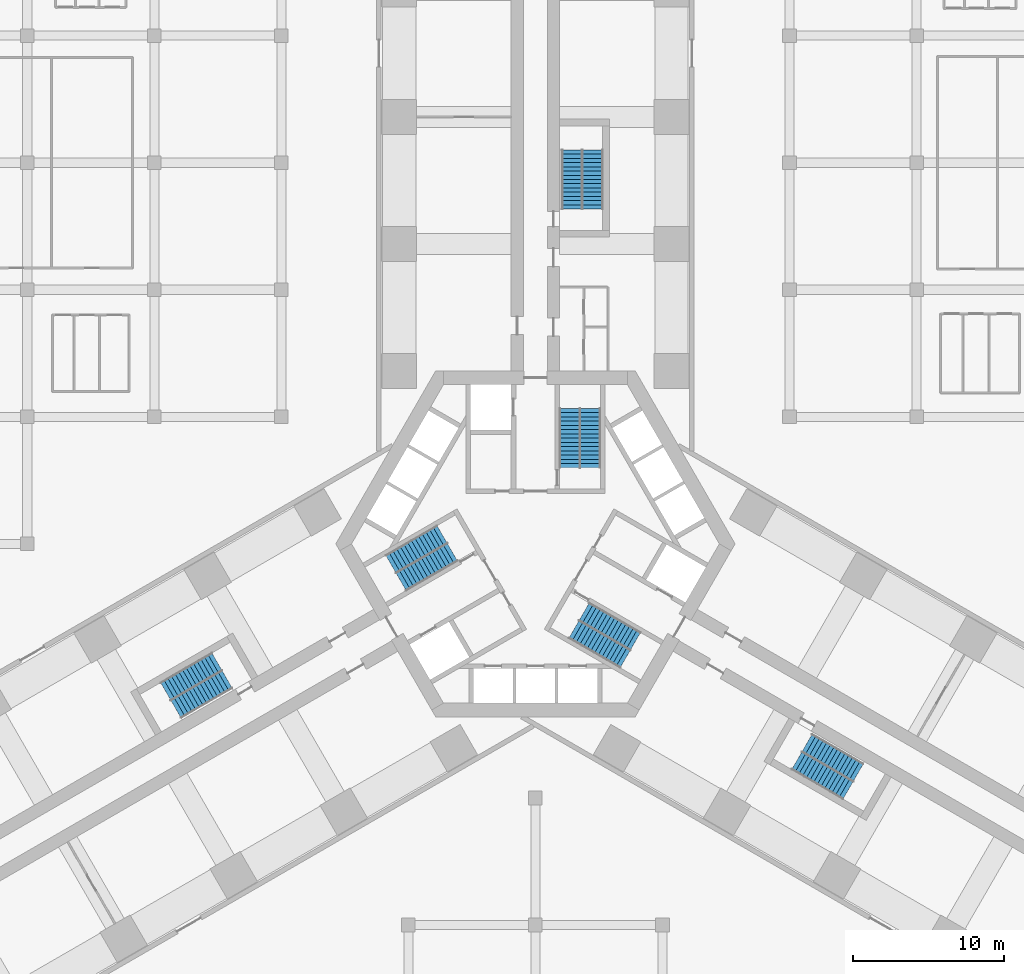
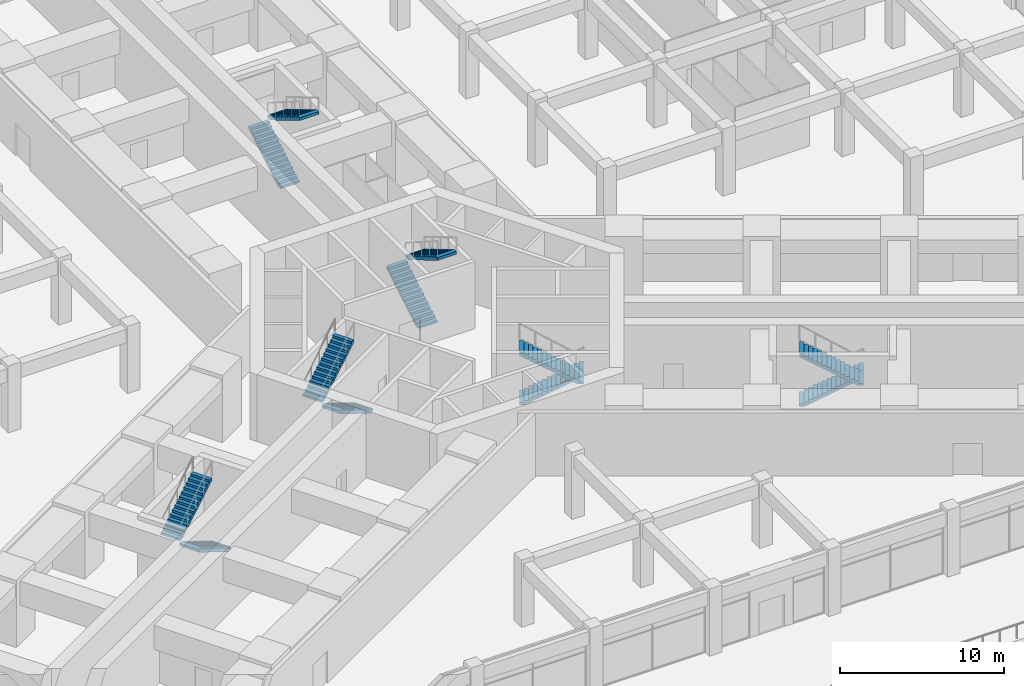
# One storey, part 34 of 36: 12 stair flights, 6 elements without a shape of their own.
"""IFC4 building model written with IfcOpenShell, lengths in metres."""

import ifcopenshell
import ifcopenshell.guid

model = None  # the IFC model being written
_history = None  # IfcOwnerHistory: only IFC2X3 demands one
_inside = {}  # id of a spatial element -> (the spatial element, [elements in it])
_under = {}  # id of a project, library or spatial element -> (it, [spatial elements below it])
_declared = {}  # id of a project -> (the project, [libraries it declares])
_typed = {}  # id of a type object -> (the type object, [elements of that type])
_made_of = {}  # id of a material, layer set ... -> (it, [elements and type objects made of it])


def new_model(schema):
    """Start an empty IFC model of exactly this schema.

    Asked for "IFC4X3", IfcOpenShell would pick the latest addendum, in which some entities
    have other attributes; the version numbers below select the first issue.
    IFC2X3 requires an IfcOwnerHistory on every rooted entity: one is made here for all.
    """
    global model, _history
    if schema == "IFC4X3":
        model = ifcopenshell.file(schema_version=(4, 3, 0, 0))
    else:
        model = ifcopenshell.file(schema=schema)
    _inside.clear()
    _under.clear()
    _declared.clear()
    _typed.clear()
    _made_of.clear()
    _history = None
    if model.schema == "IFC2X3":
        org = make("IfcOrganization", Name="unknown")
        user = make(
            "IfcPersonAndOrganization",
            ThePerson=make("IfcPerson", FamilyName="unknown"),
            TheOrganization=org,
        )
        app = make(
            "IfcApplication",
            ApplicationDeveloper=org,
            Version="unknown",
            ApplicationFullName="unknown",
            ApplicationIdentifier="unknown",
        )
        _history = make(
            "IfcOwnerHistory",
            OwningUser=user,
            OwningApplication=app,
            ChangeAction="ADDED",
            CreationDate=0,
        )
    return model


def make(cls, **values):
    """One entity of the class cls with the attributes given. An attribute that is None is left unset."""
    return model.create_entity(
        cls, **{name: value for name, value in values.items() if value is not None}
    )


def rooted(cls, **values):
    """An entity with a GlobalId (a new one), such as an element, a storey or a relation."""
    return make(cls, GlobalId=ifcopenshell.guid.new(), OwnerHistory=_history, **values)


def si_unit(unit_type, name, prefix=None):
    """IfcSIUnit, for example si_unit("LENGTHUNIT", "METRE", prefix="MILLI")."""
    return make("IfcSIUnit", UnitType=unit_type, Prefix=prefix, Name=name)


def assignment(units):
    """IfcUnitAssignment: the units of a project."""
    return None if units is None else make("IfcUnitAssignment", Units=units)


def point(xyz):
    """IfcCartesianPoint."""
    return None if xyz is None else make("IfcCartesianPoint", Coordinates=xyz)


def direction(xyz):
    """IfcDirection."""
    return None if xyz is None else make("IfcDirection", DirectionRatios=xyz)


def frame(location, z_axis=None, x_axis=None):
    """IfcAxis2Placement3D, a coordinate frame: its origin and axes. An axis left out is left unset."""
    return make(
        "IfcAxis2Placement3D",
        Location=point(location),
        Axis=direction(z_axis),
        RefDirection=direction(x_axis),
    )


def origin():
    """The frame at (0, 0, 0) with its axes left unset."""
    return frame((0.0, 0.0, 0.0))


def place(relative_to, where):
    """IfcLocalPlacement: puts the frame where relative to a parent placement (None: the world)."""
    return make(
        "IfcLocalPlacement", PlacementRelTo=relative_to, RelativePlacement=where
    )


def context(
    kind, dimensions, precision=None, world=None, true_north=None, identifier=None
):
    """IfcGeometricRepresentationContext, for example the 3D "Model" context."""
    return make(
        "IfcGeometricRepresentationContext",
        ContextIdentifier=identifier,
        ContextType=kind,
        CoordinateSpaceDimension=dimensions,
        Precision=precision,
        WorldCoordinateSystem=world,
        TrueNorth=true_north,
    )


def subcontext(parent, identifier, kind, view, scale=None):
    """IfcGeometricRepresentationSubContext, for example "Body" below "Model"."""
    return make(
        "IfcGeometricRepresentationSubContext",
        ContextIdentifier=identifier,
        ContextType=kind,
        ParentContext=parent,
        TargetScale=scale,
        TargetView=view,
    )


def project(units=None, contexts=None):
    """IfcProject with its units and contexts."""
    return rooted(
        "IfcProject",
        Name="project",
        RepresentationContexts=contexts,
        UnitsInContext=assignment(units),
    )


def spatial(cls, under=None, at=None, **own):
    """A site, building, storey or space (cls), placed at a placement, below another one or the project."""
    s = rooted(cls, ObjectPlacement=at, **own)
    if under is not None:
        _under.setdefault(under.id(), (under, []))[1].append(s)
    return s


def polyline(points):
    """IfcPolyline through the points."""
    return make("IfcPolyline", Points=[point(p) for p in points])


def outline(outer, holes=None, kind="AREA"):
    """IfcArbitraryClosedProfileDef: a profile drawn as a closed curve; with holes, ...WithVoids."""
    if holes is None:
        return make("IfcArbitraryClosedProfileDef", ProfileType=kind, OuterCurve=outer)
    return make(
        "IfcArbitraryProfileDefWithVoids",
        ProfileType=kind,
        OuterCurve=outer,
        InnerCurves=holes,
    )


def extrude(swept, where, along, depth):
    """IfcExtrudedAreaSolid: the profile swept, set in the frame where, extruded along a direction by depth."""
    return make(
        "IfcExtrudedAreaSolid",
        SweptArea=swept,
        Position=where,
        ExtrudedDirection=direction(along),
        Depth=depth,
    )


def shape(context_of_items, identifier, shape_type, items):
    """IfcShapeRepresentation: the items that make up one representation, for example the "Body"."""
    return make(
        "IfcShapeRepresentation",
        ContextOfItems=context_of_items,
        RepresentationIdentifier=identifier,
        RepresentationType=shape_type,
        Items=items,
    )


def material(Name=None, Category=None):
    """IfcMaterial."""
    return make("IfcMaterial", Name=Name, Category=Category)


def made_of(thing, what):
    """Note that an element or type object is made of a material, layer set ...; save() writes the relation."""
    if what is not None:
        _made_of.setdefault(what.id(), (what, []))[1].append(thing)
    return thing


def type_object(cls, material=None, **own):
    """A type object (cls), such as IfcWallType, which elements share."""
    return made_of(rooted(cls, **own), material)


def element(
    cls,
    number,
    at=None,
    inside=None,
    cuts=None,
    type_object=None,
    material=None,
    context=None,
    identifier="Body",
    shape_type=None,
    held_by="IfcProductDefinitionShape",
    body=None,
    shapes=None,
    **own,
):
    """One element of the class cls, such as IfcWall. Its Tag is "e" and its number.

    at: its placement. inside: the storey or other place that contains it. cuts: it is an
    opening in that element (IfcRelVoidsElement). A single representation is given by context,
    identifier, shape_type and body (its items); several are given by shapes. held_by: the class
    of the entity that holds the representations. save() writes the other relations.
    """
    e = rooted(cls, Tag="e%d" % number, ObjectPlacement=at, **own)
    if body is not None:
        shapes = [shape(context, identifier, shape_type, body)]
    if shapes is not None:
        e.Representation = make(held_by, Representations=shapes)
    if inside is not None:
        _inside.setdefault(inside.id(), (inside, []))[1].append(e)
    if cuts is not None:
        rooted(
            "IfcRelVoidsElement", RelatingBuildingElement=cuts, RelatedOpeningElement=e
        )
    if type_object is not None:
        _typed.setdefault(type_object.id(), (type_object, []))[1].append(e)
    return made_of(e, material)


def aggregate(whole, parts):
    """IfcRelAggregates: a whole, such as a stair, and the parts it consists of."""
    return rooted("IfcRelAggregates", RelatingObject=whole, RelatedObjects=parts)


def save(model, path):
    """Write the relations noted so far, then the file.

    IfcRelAggregates (storeys below a building ...), IfcRelContainedInSpatialStructure (elements
    in a storey), IfcRelDefinesByType, IfcRelAssociatesMaterial and IfcRelDeclares: one each for
    every whole, place, type object, material and project.
    """
    for whole, parts in _under.values():
        aggregate(whole, parts)
    for where, things in _inside.values():
        rooted(
            "IfcRelContainedInSpatialStructure",
            RelatedElements=things,
            RelatingStructure=where,
        )
    for kind, things in _typed.values():
        rooted("IfcRelDefinesByType", RelatedObjects=things, RelatingType=kind)
    for what, things in _made_of.values():
        rooted("IfcRelAssociatesMaterial", RelatedObjects=things, RelatingMaterial=what)
    for by, libraries in _declared.values():
        rooted("IfcRelDeclares", RelatingContext=by, RelatedDefinitions=libraries)
    model.write(path)


model = new_model("IFC4")

# Units and contexts
model_context = context("Model", 3, precision=1e-05, world=origin(), true_north=direction((0.0, 1.0)))
body_context = subcontext(model_context, "Body", "Model", "MODEL_VIEW")
ifc_project = project(units=[si_unit("LENGTHUNIT", "METRE"), si_unit("AREAUNIT", "SQUARE_METRE"), si_unit("VOLUMEUNIT", "CUBIC_METRE"), si_unit("PLANEANGLEUNIT", "RADIAN"), si_unit("MASSUNIT", "GRAM", prefix="KILO")], contexts=[model_context])

# Site, building, storey
site_placement = place(None, origin())
site = spatial("IfcSite", under=ifc_project, at=site_placement, CompositionType="ELEMENT")
building_placement = place(site_placement, origin())
building = spatial("IfcBuilding", under=site, at=building_placement, Name="Impinga Residences", CompositionType="ELEMENT")
storey_placement = place(building_placement, frame((0.0, 0.0, 6.0)))
storey = spatial("IfcBuildingStorey", under=building, at=storey_placement, Name="L01", CompositionType="ELEMENT", Elevation=6.0)

# Stair, stair flights
ifc_material = material(Name="Concrete C40/50", Category="concrete")
stair_type_1 = type_object("IfcStairType", Name="STR core stair 5000 storey, 30 risers", PredefinedType="HALF_TURN_STAIR", material=ifc_material)
stair_1_placement = place(storey_placement, origin())
stair_1 = element("IfcStair", 1, at=stair_1_placement, inside=storey, type_object=stair_type_1, Name="Stair ST1 L01", PredefinedType="HALF_TURN_STAIR")
stair_flight_type = type_object("IfcStairFlightType", Name="SF 15 risers of 167", PredefinedType="STRAIGHT", material=ifc_material)
stair_flight_1_placement = place(storey_placement, frame((2.27490234375, 5.030029296875, 0.0), z_axis=(0.0, 0.0, 1.0), x_axis=(0.0, 1.0, 0.0)))
stair_flight_1 = element("IfcStairFlight", 2, at=stair_flight_1_placement, type_object=stair_flight_type, Name="ST1 flight 1", NumberOfRisers=15, NumberOfTreads=14, PredefinedType="STRAIGHT", RiserHeight=0.166666667, TreadLength=0.28, context=body_context, shape_type="SweptSolid", body=[
    extrude(outline(polyline([(0.0, 0.0), (0.0, 0.166748046875), (0.280029296875, 0.166748046875), (0.280029296875, 0.333251953125), (0.56005859375, 0.333251953125), (0.56005859375, 0.5), (0.840087890625, 0.5), (0.840087890625, 0.666748046875), (1.1201171875, 0.666748046875), (1.1201171875, 0.833251953125), (1.39990234375, 0.833251953125), (1.39990234375, 1.0), (1.679931640625, 1.0), (1.679931640625, 1.166748046875), (1.9599609375, 1.166748046875), (1.9599609375, 1.333251953125), (2.239990234375, 1.333251953125), (2.239990234375, 1.5), (2.52001953125, 1.5), (2.52001953125, 1.666748046875), (2.800048828125, 1.666748046875), (2.800048828125, 1.833251953125), (3.080078125, 1.833251953125), (3.080078125, 2.0), (3.360107421875, 2.0), (3.360107421875, 2.166748046875), (3.639892578125, 2.166748046875), (3.639892578125, 2.333251953125), (3.919921875, 2.333251953125), (3.919921875, 2.5), (3.919921875, 2.1240234375), (0.351806640625, 0.0), (0.0, 0.0)])), frame((0.0, 0.675048828125, 0.0), z_axis=(0.0, -1.0, 0.0), x_axis=(1.0, 0.0, 0.0)), (0.0, 0.0, 1.0), 1.35009765625),
])
stair_flight_2_placement = place(storey_placement, frame((3.625, 8.949951171875, 2.5), z_axis=(0.0, 0.0, 1.0), x_axis=(0.0, -1.0, 0.0)))
stair_flight_2 = element("IfcStairFlight", 3, at=stair_flight_2_placement, type_object=stair_flight_type, Name="ST1 flight 2", NumberOfRisers=15, NumberOfTreads=14, PredefinedType="STRAIGHT", RiserHeight=0.166666667, TreadLength=0.28, context=body_context, shape_type="SweptSolid", body=[
    extrude(outline(polyline([(0.0, 0.0), (0.0, 0.166748046875), (0.280029296875, 0.166748046875), (0.280029296875, 0.333251953125), (0.56005859375, 0.333251953125), (0.56005859375, 0.5), (0.840087890625, 0.5), (0.840087890625, 0.666748046875), (1.1201171875, 0.666748046875), (1.1201171875, 0.833251953125), (1.39990234375, 0.833251953125), (1.39990234375, 1.0), (1.679931640625, 1.0), (1.679931640625, 1.166748046875), (1.9599609375, 1.166748046875), (1.9599609375, 1.333251953125), (2.239990234375, 1.333251953125), (2.239990234375, 1.5), (2.52001953125, 1.5), (2.52001953125, 1.666748046875), (2.800048828125, 1.666748046875), (2.800048828125, 1.833251953125), (3.080078125, 1.833251953125), (3.080078125, 2.0), (3.360107421875, 2.0), (3.360107421875, 2.166748046875), (3.639892578125, 2.166748046875), (3.639892578125, 2.333251953125), (3.919921875, 2.333251953125), (3.919921875, 2.5), (3.919921875, 2.1240234375), (0.351806640625, 0.0), (0.0, 0.0)])), frame((0.0, 0.675048828125, 0.0), z_axis=(0.0, -1.0, 0.0), x_axis=(1.0, 0.0, 0.0)), (0.0, 0.0, 1.0), 1.35009765625),
])
aggregate(stair_1, [stair_flight_1, stair_flight_2])

stair_2_placement = place(storey_placement, origin())
stair_2 = element("IfcStair", 4, at=stair_2_placement, inside=storey, type_object=stair_type_1, Name="Stair ST2 L01", PredefinedType="HALF_TURN_STAIR")
stair_flight_3_placement = place(storey_placement, frame((-5.49365234375, -0.544677734375, 0.0), z_axis=(0.0, 0.0, 1.0), x_axis=(-0.866025403784, -0.5, 0.0)))
stair_flight_3 = element("IfcStairFlight", 5, at=stair_flight_3_placement, type_object=stair_flight_type, Name="ST2 flight 1", NumberOfRisers=15, NumberOfTreads=14, PredefinedType="STRAIGHT", RiserHeight=0.166666667, TreadLength=0.28, context=body_context, shape_type="SweptSolid", body=[
    extrude(outline(polyline([(0.0, 0.0), (0.0, 0.166748046875), (0.280029296875, 0.166748046875), (0.280029296875, 0.333251953125), (0.56005859375, 0.333251953125), (0.56005859375, 0.5), (0.840087890625, 0.5), (0.840087890625, 0.666748046875), (1.1201171875, 0.666748046875), (1.1201171875, 0.833251953125), (1.39990234375, 0.833251953125), (1.39990234375, 1.0), (1.679931640625, 1.0), (1.679931640625, 1.166748046875), (1.9599609375, 1.166748046875), (1.9599609375, 1.333251953125), (2.239990234375, 1.333251953125), (2.239990234375, 1.5), (2.52001953125, 1.5), (2.52001953125, 1.666748046875), (2.800048828125, 1.666748046875), (2.800048828125, 1.833251953125), (3.080078125, 1.833251953125), (3.080078125, 2.0), (3.360107421875, 2.0), (3.360107421875, 2.166748046875), (3.639892578125, 2.166748046875), (3.639892578125, 2.333251953125), (3.919921875, 2.333251953125), (3.919921875, 2.5), (3.919921875, 2.1240234375), (0.351806640625, 0.0), (0.0, 0.0)])), frame((0.0, 0.675048828125, 0.0), z_axis=(0.0, -1.0, 0.0), x_axis=(1.0, 0.0, 0.0)), (0.0, 0.0, 1.0), 1.35009765625),
])
stair_flight_4_placement = place(storey_placement, frame((-9.5634765625, -1.335693359375, 2.5), z_axis=(0.0, 0.0, 1.0), x_axis=(0.866025403784, 0.5, 0.0)))
stair_flight_4 = element("IfcStairFlight", 6, at=stair_flight_4_placement, type_object=stair_flight_type, Name="ST2 flight 2", NumberOfRisers=15, NumberOfTreads=14, PredefinedType="STRAIGHT", RiserHeight=0.166666667, TreadLength=0.28, context=body_context, shape_type="SweptSolid", body=[
    extrude(outline(polyline([(0.0, 0.0), (0.0, 0.166748046875), (0.280029296875, 0.166748046875), (0.280029296875, 0.333251953125), (0.56005859375, 0.333251953125), (0.56005859375, 0.5), (0.840087890625, 0.5), (0.840087890625, 0.666748046875), (1.1201171875, 0.666748046875), (1.1201171875, 0.833251953125), (1.39990234375, 0.833251953125), (1.39990234375, 1.0), (1.679931640625, 1.0), (1.679931640625, 1.166748046875), (1.9599609375, 1.166748046875), (1.9599609375, 1.333251953125), (2.239990234375, 1.333251953125), (2.239990234375, 1.5), (2.52001953125, 1.5), (2.52001953125, 1.666748046875), (2.800048828125, 1.666748046875), (2.800048828125, 1.833251953125), (3.080078125, 1.833251953125), (3.080078125, 2.0), (3.360107421875, 2.0), (3.360107421875, 2.166748046875), (3.639892578125, 2.166748046875), (3.639892578125, 2.333251953125), (3.919921875, 2.333251953125), (3.919921875, 2.5), (3.919921875, 2.1240234375), (0.351806640625, 0.0), (0.0, 0.0)])), frame((0.0, 0.675048828125, 0.0), z_axis=(0.0, -1.0, 0.0), x_axis=(1.0, 0.0, 0.0)), (0.0, 0.0, 1.0), 1.35009765625),
])
aggregate(stair_2, [stair_flight_3, stair_flight_4])

stair_3_placement = place(storey_placement, origin())
stair_3 = element("IfcStair", 7, at=stair_3_placement, inside=storey, type_object=stair_type_1, Name="Stair ST3 L01", PredefinedType="HALF_TURN_STAIR")
stair_flight_5_placement = place(storey_placement, frame((3.218505859375, -4.485107421875, 0.0), z_axis=(0.0, 0.0, 1.0), x_axis=(0.866025403784, -0.5, 0.0)))
stair_flight_5 = element("IfcStairFlight", 8, at=stair_flight_5_placement, type_object=stair_flight_type, Name="ST3 flight 1", NumberOfRisers=15, NumberOfTreads=14, PredefinedType="STRAIGHT", RiserHeight=0.166666667, TreadLength=0.28, context=body_context, shape_type="SweptSolid", body=[
    extrude(outline(polyline([(0.0, 0.0), (0.0, 0.166748046875), (0.280029296875, 0.166748046875), (0.280029296875, 0.333251953125), (0.56005859375, 0.333251953125), (0.56005859375, 0.5), (0.840087890625, 0.5), (0.840087890625, 0.666748046875), (1.1201171875, 0.666748046875), (1.1201171875, 0.833251953125), (1.39990234375, 0.833251953125), (1.39990234375, 1.0), (1.679931640625, 1.0), (1.679931640625, 1.166748046875), (1.9599609375, 1.166748046875), (1.9599609375, 1.333251953125), (2.239990234375, 1.333251953125), (2.239990234375, 1.5), (2.52001953125, 1.5), (2.52001953125, 1.666748046875), (2.800048828125, 1.666748046875), (2.800048828125, 1.833251953125), (3.080078125, 1.833251953125), (3.080078125, 2.0), (3.360107421875, 2.0), (3.360107421875, 2.166748046875), (3.639892578125, 2.166748046875), (3.639892578125, 2.333251953125), (3.919921875, 2.333251953125), (3.919921875, 2.5), (3.919921875, 2.1240234375), (0.351806640625, 0.0), (0.0, 0.0)])), frame((0.0, 0.675048828125, 0.0), z_axis=(0.0, -1.0, 0.0), x_axis=(1.0, 0.0, 0.0)), (0.0, 0.0, 1.0), 1.35009765625),
])
stair_flight_6_placement = place(storey_placement, frame((5.9384765625, -7.6142578125, 2.5), z_axis=(0.0, 0.0, 1.0), x_axis=(-0.866025403784, 0.5, 0.0)))
stair_flight_6 = element("IfcStairFlight", 9, at=stair_flight_6_placement, type_object=stair_flight_type, Name="ST3 flight 2", NumberOfRisers=15, NumberOfTreads=14, PredefinedType="STRAIGHT", RiserHeight=0.166666667, TreadLength=0.28, context=body_context, shape_type="SweptSolid", body=[
    extrude(outline(polyline([(0.0, 0.0), (0.0, 0.166748046875), (0.280029296875, 0.166748046875), (0.280029296875, 0.333251953125), (0.56005859375, 0.333251953125), (0.56005859375, 0.5), (0.840087890625, 0.5), (0.840087890625, 0.666748046875), (1.1201171875, 0.666748046875), (1.1201171875, 0.833251953125), (1.39990234375, 0.833251953125), (1.39990234375, 1.0), (1.679931640625, 1.0), (1.679931640625, 1.166748046875), (1.9599609375, 1.166748046875), (1.9599609375, 1.333251953125), (2.239990234375, 1.333251953125), (2.239990234375, 1.5), (2.52001953125, 1.5), (2.52001953125, 1.666748046875), (2.800048828125, 1.666748046875), (2.800048828125, 1.833251953125), (3.080078125, 1.833251953125), (3.080078125, 2.0), (3.360107421875, 2.0), (3.360107421875, 2.166748046875), (3.639892578125, 2.166748046875), (3.639892578125, 2.333251953125), (3.919921875, 2.333251953125), (3.919921875, 2.5), (3.919921875, 2.1240234375), (0.351806640625, 0.0), (0.0, 0.0)])), frame((0.0, 0.675048828125, 0.0), z_axis=(0.0, -1.0, 0.0), x_axis=(1.0, 0.0, 0.0)), (0.0, 0.0, 1.0), 1.35009765625),
])
aggregate(stair_3, [stair_flight_5, stair_flight_6])

stair_type_2 = type_object("IfcStairType", Name="STR wing stair 5000 storey, 30 risers", PredefinedType="HALF_TURN_STAIR", material=ifc_material)
stair_4_placement = place(storey_placement, origin())
stair_4 = element("IfcStair", 10, at=stair_4_placement, inside=storey, type_object=stair_type_2, Name="Stair WS1 L01", PredefinedType="HALF_TURN_STAIR")
stair_flight_7_placement = place(storey_placement, frame((2.425048828125, 22.131591796875, 0.0), z_axis=(0.0, 0.0, 1.0), x_axis=(0.0, 1.0, 0.0)))
stair_flight_7 = element("IfcStairFlight", 11, at=stair_flight_7_placement, type_object=stair_flight_type, Name="WS1 flight 1", NumberOfRisers=15, NumberOfTreads=14, PredefinedType="STRAIGHT", RiserHeight=0.166666667, TreadLength=0.28, context=body_context, shape_type="SweptSolid", body=[
    extrude(outline(polyline([(0.0, 0.0), (0.0, 0.166748046875), (0.280029296875, 0.166748046875), (0.280029296875, 0.333251953125), (0.56005859375, 0.333251953125), (0.56005859375, 0.5), (0.840087890625, 0.5), (0.840087890625, 0.666748046875), (1.1201171875, 0.666748046875), (1.1201171875, 0.833251953125), (1.39990234375, 0.833251953125), (1.39990234375, 1.0), (1.679931640625, 1.0), (1.679931640625, 1.166748046875), (1.9599609375, 1.166748046875), (1.9599609375, 1.333251953125), (2.239990234375, 1.333251953125), (2.239990234375, 1.5), (2.52001953125, 1.5), (2.52001953125, 1.666748046875), (2.800048828125, 1.666748046875), (2.800048828125, 1.833251953125), (3.080078125, 1.833251953125), (3.080078125, 2.0), (3.360107421875, 2.0), (3.360107421875, 2.166748046875), (3.639892578125, 2.166748046875), (3.639892578125, 2.333251953125), (3.919921875, 2.333251953125), (3.919921875, 2.5), (3.919921875, 2.1240234375), (0.351806640625, 0.0), (0.0, 0.0)])), frame((0.0, 0.675048828125, 0.0), z_axis=(0.0, -1.0, 0.0), x_axis=(1.0, 0.0, 0.0)), (0.0, 0.0, 1.0), 1.35009765625),
])
stair_flight_8_placement = place(storey_placement, frame((3.77490234375, 26.051513671875, 2.5), z_axis=(0.0, 0.0, 1.0), x_axis=(0.0, -1.0, 0.0)))
stair_flight_8 = element("IfcStairFlight", 12, at=stair_flight_8_placement, type_object=stair_flight_type, Name="WS1 flight 2", NumberOfRisers=15, NumberOfTreads=14, PredefinedType="STRAIGHT", RiserHeight=0.166666667, TreadLength=0.28, context=body_context, shape_type="SweptSolid", body=[
    extrude(outline(polyline([(0.0, 0.0), (0.0, 0.166748046875), (0.280029296875, 0.166748046875), (0.280029296875, 0.333251953125), (0.56005859375, 0.333251953125), (0.56005859375, 0.5), (0.840087890625, 0.5), (0.840087890625, 0.666748046875), (1.1201171875, 0.666748046875), (1.1201171875, 0.833251953125), (1.39990234375, 0.833251953125), (1.39990234375, 1.0), (1.679931640625, 1.0), (1.679931640625, 1.166748046875), (1.9599609375, 1.166748046875), (1.9599609375, 1.333251953125), (2.239990234375, 1.333251953125), (2.239990234375, 1.5), (2.52001953125, 1.5), (2.52001953125, 1.666748046875), (2.800048828125, 1.666748046875), (2.800048828125, 1.833251953125), (3.080078125, 1.833251953125), (3.080078125, 2.0), (3.360107421875, 2.0), (3.360107421875, 2.166748046875), (3.639892578125, 2.166748046875), (3.639892578125, 2.333251953125), (3.919921875, 2.333251953125), (3.919921875, 2.5), (3.919921875, 2.1240234375), (0.351806640625, 0.0), (0.0, 0.0)])), frame((0.0, 0.675048828125, 0.0), z_axis=(0.0, -1.0, 0.0), x_axis=(1.0, 0.0, 0.0)), (0.0, 0.0, 1.0), 1.35009765625),
])
aggregate(stair_4, [stair_flight_7, stair_flight_8])

stair_5_placement = place(storey_placement, origin())
stair_5 = element("IfcStair", 13, at=stair_5_placement, inside=storey, type_object=stair_type_2, Name="Stair WS2 L01", PredefinedType="HALF_TURN_STAIR")
stair_flight_9_placement = place(storey_placement, frame((-20.37890625, -8.965576171875, 0.0), z_axis=(0.0, 0.0, 1.0), x_axis=(-0.866025403784, -0.5, 0.0)))
stair_flight_9 = element("IfcStairFlight", 14, at=stair_flight_9_placement, type_object=stair_flight_type, Name="WS2 flight 1", NumberOfRisers=15, NumberOfTreads=14, PredefinedType="STRAIGHT", RiserHeight=0.166666667, TreadLength=0.28, context=body_context, shape_type="SweptSolid", body=[
    extrude(outline(polyline([(0.0, 0.0), (0.0, 0.166748046875), (0.280029296875, 0.166748046875), (0.280029296875, 0.333251953125), (0.56005859375, 0.333251953125), (0.56005859375, 0.5), (0.840087890625, 0.5), (0.840087890625, 0.666748046875), (1.1201171875, 0.666748046875), (1.1201171875, 0.833251953125), (1.39990234375, 0.833251953125), (1.39990234375, 1.0), (1.679931640625, 1.0), (1.679931640625, 1.166748046875), (1.9599609375, 1.166748046875), (1.9599609375, 1.333251953125), (2.239990234375, 1.333251953125), (2.239990234375, 1.5), (2.52001953125, 1.5), (2.52001953125, 1.666748046875), (2.800048828125, 1.666748046875), (2.800048828125, 1.833251953125), (3.080078125, 1.833251953125), (3.080078125, 2.0), (3.360107421875, 2.0), (3.360107421875, 2.166748046875), (3.639892578125, 2.166748046875), (3.639892578125, 2.333251953125), (3.919921875, 2.333251953125), (3.919921875, 2.5), (3.919921875, 2.1240234375), (0.351806640625, 0.0), (0.0, 0.0)])), frame((0.0, 0.675048828125, 0.0), z_axis=(0.0, -1.0, 0.0), x_axis=(1.0, 0.0, 0.0)), (0.0, 0.0, 1.0), 1.35009765625),
])
stair_flight_10_placement = place(storey_placement, frame((-24.44873046875, -9.756591796875, 2.5), z_axis=(0.0, 0.0, 1.0), x_axis=(0.866025403784, 0.5, 0.0)))
stair_flight_10 = element("IfcStairFlight", 15, at=stair_flight_10_placement, type_object=stair_flight_type, Name="WS2 flight 2", NumberOfRisers=15, NumberOfTreads=14, PredefinedType="STRAIGHT", RiserHeight=0.166666667, TreadLength=0.28, context=body_context, shape_type="SweptSolid", body=[
    extrude(outline(polyline([(0.0, 0.0), (0.0, 0.166748046875), (0.280029296875, 0.166748046875), (0.280029296875, 0.333251953125), (0.56005859375, 0.333251953125), (0.56005859375, 0.5), (0.840087890625, 0.5), (0.840087890625, 0.666748046875), (1.1201171875, 0.666748046875), (1.1201171875, 0.833251953125), (1.39990234375, 0.833251953125), (1.39990234375, 1.0), (1.679931640625, 1.0), (1.679931640625, 1.166748046875), (1.9599609375, 1.166748046875), (1.9599609375, 1.333251953125), (2.239990234375, 1.333251953125), (2.239990234375, 1.5), (2.52001953125, 1.5), (2.52001953125, 1.666748046875), (2.800048828125, 1.666748046875), (2.800048828125, 1.833251953125), (3.080078125, 1.833251953125), (3.080078125, 2.0), (3.360107421875, 2.0), (3.360107421875, 2.166748046875), (3.639892578125, 2.166748046875), (3.639892578125, 2.333251953125), (3.919921875, 2.333251953125), (3.919921875, 2.5), (3.919921875, 2.1240234375), (0.351806640625, 0.0), (0.0, 0.0)])), frame((0.0, 0.675048828125, 0.0), z_axis=(0.0, -1.0, 0.0), x_axis=(1.0, 0.0, 0.0)), (0.0, 0.0, 1.0), 1.35009765625),
])
aggregate(stair_5, [stair_flight_9, stair_flight_10])

stair_6_placement = place(storey_placement, origin())
stair_6 = element("IfcStair", 16, at=stair_6_placement, inside=storey, type_object=stair_type_2, Name="Stair WS3 L01", PredefinedType="HALF_TURN_STAIR")
stair_flight_11_placement = place(storey_placement, frame((17.953857421875, -13.165771484375, 0.0), z_axis=(0.0, 0.0, 1.0), x_axis=(0.866025403784, -0.5, 0.0)))
stair_flight_11 = element("IfcStairFlight", 17, at=stair_flight_11_placement, type_object=stair_flight_type, Name="WS3 flight 1", NumberOfRisers=15, NumberOfTreads=14, PredefinedType="STRAIGHT", RiserHeight=0.166666667, TreadLength=0.28, context=body_context, shape_type="SweptSolid", body=[
    extrude(outline(polyline([(0.0, 0.0), (0.0, 0.166748046875), (0.280029296875, 0.166748046875), (0.280029296875, 0.333251953125), (0.56005859375, 0.333251953125), (0.56005859375, 0.5), (0.840087890625, 0.5), (0.840087890625, 0.666748046875), (1.1201171875, 0.666748046875), (1.1201171875, 0.833251953125), (1.39990234375, 0.833251953125), (1.39990234375, 1.0), (1.679931640625, 1.0), (1.679931640625, 1.166748046875), (1.9599609375, 1.166748046875), (1.9599609375, 1.333251953125), (2.239990234375, 1.333251953125), (2.239990234375, 1.5), (2.52001953125, 1.5), (2.52001953125, 1.666748046875), (2.800048828125, 1.666748046875), (2.800048828125, 1.833251953125), (3.080078125, 1.833251953125), (3.080078125, 2.0), (3.360107421875, 2.0), (3.360107421875, 2.166748046875), (3.639892578125, 2.166748046875), (3.639892578125, 2.333251953125), (3.919921875, 2.333251953125), (3.919921875, 2.5), (3.919921875, 2.1240234375), (0.351806640625, 0.0), (0.0, 0.0)])), frame((0.0, 0.675048828125, 0.0), z_axis=(0.0, -1.0, 0.0), x_axis=(1.0, 0.0, 0.0)), (0.0, 0.0, 1.0), 1.35009765625),
])
stair_flight_12_placement = place(storey_placement, frame((20.673828125, -16.294921875, 2.5), z_axis=(0.0, 0.0, 1.0), x_axis=(-0.866025403784, 0.5, 0.0)))
stair_flight_12 = element("IfcStairFlight", 18, at=stair_flight_12_placement, type_object=stair_flight_type, Name="WS3 flight 2", NumberOfRisers=15, NumberOfTreads=14, PredefinedType="STRAIGHT", RiserHeight=0.166666667, TreadLength=0.28, context=body_context, shape_type="SweptSolid", body=[
    extrude(outline(polyline([(0.0, 0.0), (0.0, 0.166748046875), (0.280029296875, 0.166748046875), (0.280029296875, 0.333251953125), (0.56005859375, 0.333251953125), (0.56005859375, 0.5), (0.840087890625, 0.5), (0.840087890625, 0.666748046875), (1.1201171875, 0.666748046875), (1.1201171875, 0.833251953125), (1.39990234375, 0.833251953125), (1.39990234375, 1.0), (1.679931640625, 1.0), (1.679931640625, 1.166748046875), (1.9599609375, 1.166748046875), (1.9599609375, 1.333251953125), (2.239990234375, 1.333251953125), (2.239990234375, 1.5), (2.52001953125, 1.5), (2.52001953125, 1.666748046875), (2.800048828125, 1.666748046875), (2.800048828125, 1.833251953125), (3.080078125, 1.833251953125), (3.080078125, 2.0), (3.360107421875, 2.0), (3.360107421875, 2.166748046875), (3.639892578125, 2.166748046875), (3.639892578125, 2.333251953125), (3.919921875, 2.333251953125), (3.919921875, 2.5), (3.919921875, 2.1240234375), (0.351806640625, 0.0), (0.0, 0.0)])), frame((0.0, 0.675048828125, 0.0), z_axis=(0.0, -1.0, 0.0), x_axis=(1.0, 0.0, 0.0)), (0.0, 0.0, 1.0), 1.35009765625),
])
aggregate(stair_6, [stair_flight_11, stair_flight_12])

save(model, "model.ifc")
